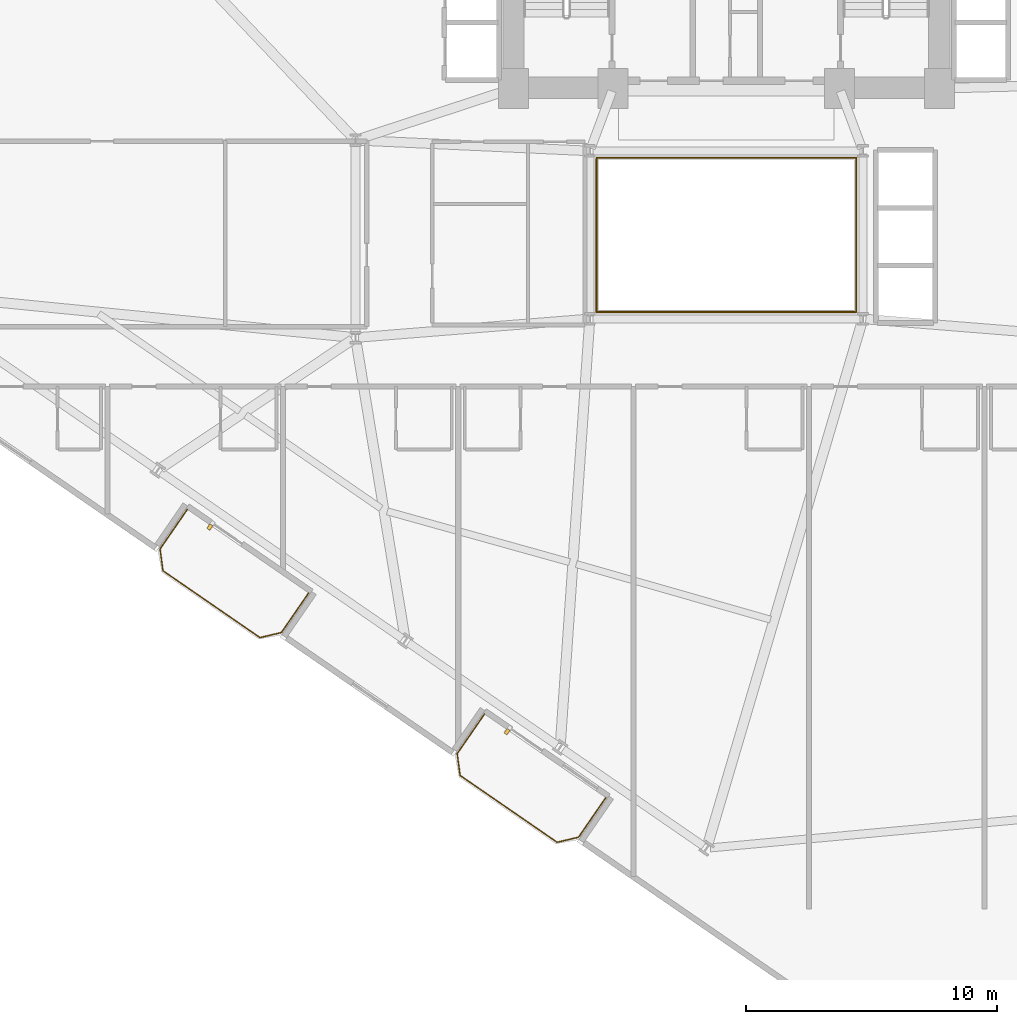
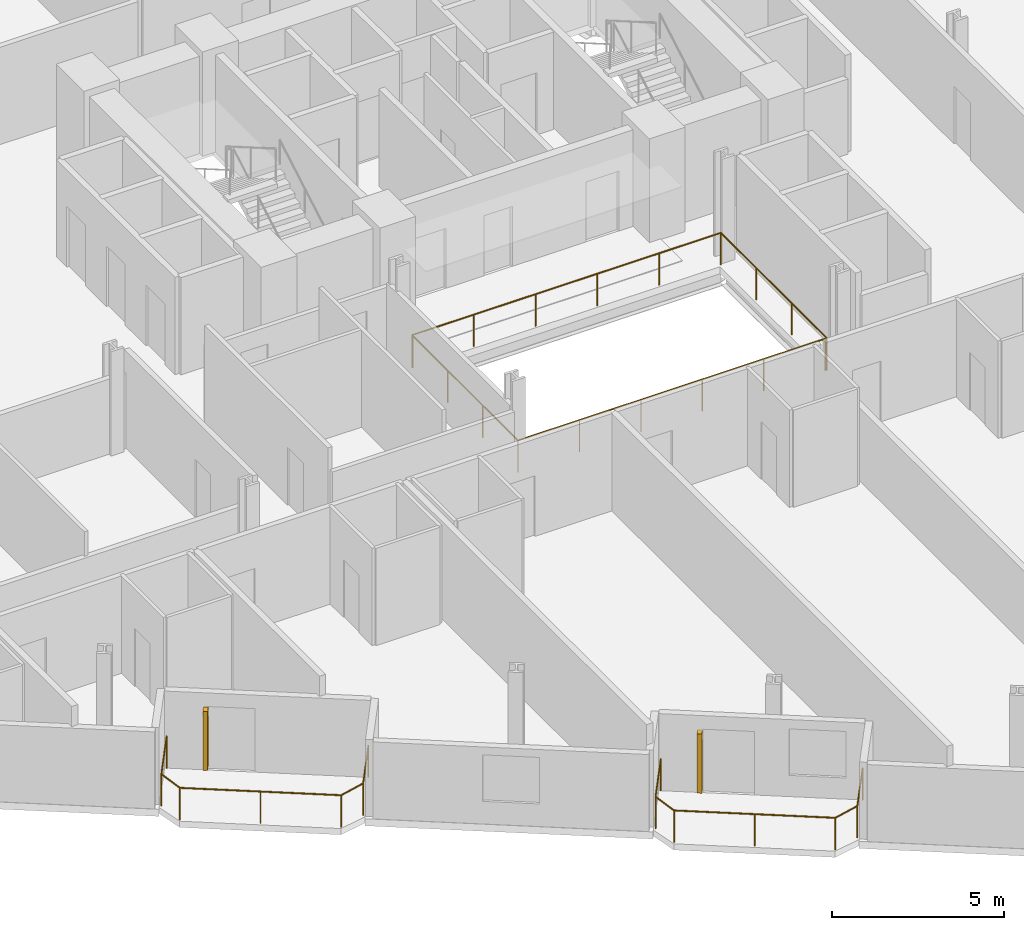
# One storey, part 23 of 25: 4 railings, 2 shading devices.
"""IFC4 building model written with IfcOpenShell, lengths in metres."""

from ifc_helpers import new_model, si_unit, direction, frame, origin, origin_2d, place, context, subcontext, project, spatial, rectangle, circle, extrude, source, transform, mapped, material, type_object, element, save


model = new_model("IFC4")

# Units and contexts
model_context = context("Model", 3, precision=1e-05, world=origin(), true_north=direction((0.0, 1.0)))
body_context = subcontext(model_context, "Body", "Model", "MODEL_VIEW")
ifc_project = project(units=[si_unit("LENGTHUNIT", "METRE"), si_unit("AREAUNIT", "SQUARE_METRE"), si_unit("VOLUMEUNIT", "CUBIC_METRE"), si_unit("PLANEANGLEUNIT", "RADIAN"), si_unit("MASSUNIT", "GRAM", prefix="KILO")], contexts=[model_context])

# Site, building, storey
site_placement = place(None, origin())
site = spatial("IfcSite", under=ifc_project, at=site_placement, CompositionType="ELEMENT")
building_placement = place(site_placement, origin())
building = spatial("IfcBuilding", under=site, at=building_placement, Name="Varnelok Gate Tower", CompositionType="ELEMENT")
storey_placement = place(building_placement, frame((0.0, 0.0, 56.60009765625)))
storey = spatial("IfcBuildingStorey", under=building, at=storey_placement, Name="L13", CompositionType="ELEMENT", Elevation=56.60009765625)

# Railings
ifc_material_1 = material(Name="Tempered Laminated Balustrade Glass", Category="glass")
railing_type_1 = type_object("IfcRailingType", Name="RL-ATR-GUARD1150", PredefinedType="GUARDRAIL", material=ifc_material_1)
railing_1_placement = place(storey_placement, frame((34.02001953125, 25.929931640625, 0.0)))
element("IfcRailing", 1, at=railing_1_placement, inside=storey, type_object=railing_type_1, Name="L13 Internal Atrium South-West Guardrail", PredefinedType="GUARDRAIL", context=body_context, shape_type="SweptSolid", body=[
    extrude(circle(Radius=0.02392578125, at=origin_2d()), frame((0.0, 0.0, 1.1259765625), z_axis=(0.0, -1.0, 0.0), x_axis=(1.0, 0.0, 0.0)), (0.0, 0.0, 1.0), 6.10986328125),
    extrude(circle(Radius=0.02392578125, at=origin_2d()), frame((0.0, -6.10986328125, 1.1259765625), z_axis=(1.0, 0.0, 0.0), x_axis=(0.0, 1.0, 0.0)), (0.0, 0.0, 1.0), 10.31005859375),
    extrude(circle(Radius=0.02099609375, at=origin_2d()), origin(), (0.0, 0.0, 1.0), 1.101806640625),
    extrude(circle(Radius=0.02099609375, at=origin_2d()), frame((0.0, -2.03662109375, 0.0)), (0.0, 0.0, 1.0), 1.101806640625),
    extrude(circle(Radius=0.02099609375, at=origin_2d()), frame((0.0, -4.0732421875, 0.0)), (0.0, 0.0, 1.0), 1.101806640625),
    extrude(circle(Radius=0.02099609375, at=origin_2d()), frame((0.0, -6.10986328125, 0.0)), (0.0, 0.0, 1.0), 1.101806640625),
    extrude(circle(Radius=0.02099609375, at=origin_2d()), frame((2.06201171875, -6.10986328125, 0.0)), (0.0, 0.0, 1.0), 1.101806640625),
    extrude(circle(Radius=0.02099609375, at=origin_2d()), frame((4.1240234375, -6.10986328125, 0.0)), (0.0, 0.0, 1.0), 1.101806640625),
    extrude(circle(Radius=0.02099609375, at=origin_2d()), frame((6.18603515625, -6.10986328125, 0.0)), (0.0, 0.0, 1.0), 1.101806640625),
    extrude(circle(Radius=0.02099609375, at=origin_2d()), frame((8.248046875, -6.10986328125, 0.0)), (0.0, 0.0, 1.0), 1.101806640625),
    extrude(circle(Radius=0.02099609375, at=origin_2d()), frame((10.31005859375, -6.10986328125, 0.0)), (0.0, 0.0, 1.0), 1.101806640625),
])
railing_2_placement = place(storey_placement, frame((44.3798828125, 19.820068359375, 0.0)))
element("IfcRailing", 2, at=railing_2_placement, inside=storey, type_object=railing_type_1, Name="L13 Internal Atrium North-East Guardrail", PredefinedType="GUARDRAIL", context=body_context, shape_type="SweptSolid", body=[
    extrude(circle(Radius=0.02392578125, at=origin_2d()), frame((0.0, 0.0, 1.1259765625), z_axis=(0.0, 1.0, 0.0), x_axis=(-1.0, 0.0, 0.0)), (0.0, 0.0, 1.0), 6.159912109375),
    extrude(circle(Radius=0.02392578125, at=origin_2d()), frame((0.0, 6.159912109375, 1.1259765625), z_axis=(-1.0, 0.0, 0.0), x_axis=(0.0, -1.0, 0.0)), (0.0, 0.0, 1.0), 10.35986328125),
    extrude(circle(Radius=0.02099609375, at=origin_2d()), origin(), (0.0, 0.0, 1.0), 1.101806640625),
    extrude(circle(Radius=0.02099609375, at=origin_2d()), frame((0.0, 2.05322265625, 0.0)), (0.0, 0.0, 1.0), 1.101806640625),
    extrude(circle(Radius=0.02099609375, at=origin_2d()), frame((0.0, 4.106689453125, 0.0)), (0.0, 0.0, 1.0), 1.101806640625),
    extrude(circle(Radius=0.02099609375, at=origin_2d()), frame((0.0, 6.159912109375, 0.0)), (0.0, 0.0, 1.0), 1.101806640625),
    extrude(circle(Radius=0.02099609375, at=origin_2d()), frame((-2.072021484375, 6.159912109375, 0.0)), (0.0, 0.0, 1.0), 1.101806640625),
    extrude(circle(Radius=0.02099609375, at=origin_2d()), frame((-4.14404296875, 6.159912109375, 0.0)), (0.0, 0.0, 1.0), 1.101806640625),
    extrude(circle(Radius=0.02099609375, at=origin_2d()), frame((-6.2158203125, 6.159912109375, 0.0)), (0.0, 0.0, 1.0), 1.101806640625),
    extrude(circle(Radius=0.02099609375, at=origin_2d()), frame((-8.287841796875, 6.159912109375, 0.0)), (0.0, 0.0, 1.0), 1.101806640625),
    extrude(circle(Radius=0.02099609375, at=origin_2d()), frame((-10.35986328125, 6.159912109375, 0.0)), (0.0, 0.0, 1.0), 1.101806640625),
])
ifc_material_2 = material(Name="Low-E Laminated Double Glazing IGU", Category="glass")
railing_type_2 = type_object("IfcRailingType", Name="RL-BALC-1150", PredefinedType="BALUSTRADE", material=ifc_material_2)
railing_3_placement = place(storey_placement, frame((17.688720703125, 11.9462890625, 0.0)))
element("IfcRailing", 3, at=railing_3_placement, inside=storey, type_object=railing_type_2, Name="L13 South Terrace Balustrade 1", PredefinedType="BALUSTRADE", context=body_context, shape_type="SweptSolid", body=[
    extrude(circle(Radius=0.02392578125, at=origin_2d()), frame((0.0, 0.0, 1.1259765625), z_axis=(-0.567224752248, -0.823563039747, 0.0), x_axis=(0.823563039747, -0.567224752248, 0.0)), (0.0, 0.0, 1.0), 1.920166015625),
    extrude(circle(Radius=0.02392578125, at=origin_2d()), frame((-1.089111328125, -1.581298828125, 1.1259765625), z_axis=(0.133511834152, -0.991047218926, 0.0), x_axis=(0.991047218926, 0.133511834152, 0.0)), (0.0, 0.0, 1.0), 0.877685546875),
    extrude(circle(Radius=0.02392578125, at=origin_2d()), frame((-0.971923828125, -2.451171875, 1.1259765625), z_axis=(0.823523239622, -0.567282534371, 0.0), x_axis=(0.567282534371, 0.823523239622, 0.0)), (0.0, 0.0, 1.0), 4.699951171875),
    extrude(circle(Radius=0.02392578125, at=origin_2d()), frame((2.898681640625, -5.117431640625, 1.1259765625), z_axis=(0.973573806257, 0.228372598553, 0.0), x_axis=(-0.228372598553, 0.973573806257, 0.0)), (0.0, 0.0, 1.0), 0.877685546875),
    extrude(circle(Radius=0.02392578125, at=origin_2d()), frame((3.753173828125, -4.9169921875, 1.1259765625), z_axis=(0.567224752248, 0.823563039747, 0.0), x_axis=(-0.823563039747, 0.567224752248, 0.0)), (0.0, 0.0, 1.0), 1.920166015625),
    extrude(circle(Radius=0.02099609375, at=origin_2d()), origin(), (0.0, 0.0, 1.0), 1.101806640625),
    extrude(circle(Radius=0.02099609375, at=origin_2d()), frame((-1.089111328125, -1.581298828125, 0.0)), (0.0, 0.0, 1.0), 1.101806640625),
    extrude(circle(Radius=0.02099609375, at=origin_2d()), frame((-0.971923828125, -2.451171875, 0.0)), (0.0, 0.0, 1.0), 1.101806640625),
    extrude(circle(Radius=0.02099609375, at=origin_2d()), frame((0.96337890625, -3.7841796875, 0.0)), (0.0, 0.0, 1.0), 1.101806640625),
    extrude(circle(Radius=0.02099609375, at=origin_2d()), frame((2.898681640625, -5.117431640625, 0.0)), (0.0, 0.0, 1.0), 1.101806640625),
    extrude(circle(Radius=0.02099609375, at=origin_2d()), frame((3.753173828125, -4.9169921875, 0.0)), (0.0, 0.0, 1.0), 1.101806640625),
    extrude(circle(Radius=0.02099609375, at=origin_2d()), frame((4.84228515625, -3.335693359375, 0.0)), (0.0, 0.0, 1.0), 1.101806640625),
])
railing_4_placement = place(storey_placement, frame((29.547607421875, 3.777587890625, 0.0)))
element("IfcRailing", 4, at=railing_4_placement, inside=storey, type_object=railing_type_2, Name="L13 South Terrace Balustrade 2", PredefinedType="BALUSTRADE", context=body_context, shape_type="SweptSolid", body=[
    extrude(circle(Radius=0.02392578125, at=origin_2d()), frame((0.0, 0.0, 1.1259765625), z_axis=(-0.567224752248, -0.823563039747, 0.0), x_axis=(0.823563039747, -0.567224752248, 0.0)), (0.0, 0.0, 1.0), 1.920166015625),
    extrude(circle(Radius=0.02392578125, at=origin_2d()), frame((-1.089111328125, -1.581298828125, 1.1259765625), z_axis=(0.133511834152, -0.991047218926, 0.0), x_axis=(0.991047218926, 0.133511834152, 0.0)), (0.0, 0.0, 1.0), 0.877685546875),
    extrude(circle(Radius=0.02392578125, at=origin_2d()), frame((-0.971923828125, -2.451171875, 1.1259765625), z_axis=(0.823523239622, -0.567282534371, 0.0), x_axis=(0.567282534371, 0.823523239622, 0.0)), (0.0, 0.0, 1.0), 4.699951171875),
    extrude(circle(Radius=0.02392578125, at=origin_2d()), frame((2.898681640625, -5.117431640625, 1.1259765625), z_axis=(0.973511928193, 0.228636229993, 0.0), x_axis=(-0.228636229993, 0.973511928193, 0.0)), (0.0, 0.0, 1.0), 0.877685546875),
    extrude(circle(Radius=0.02392578125, at=origin_2d()), frame((3.753173828125, -4.916748046875, 1.1259765625), z_axis=(0.567284155424, 0.82352212296, 0.0), x_axis=(-0.82352212296, 0.567284155424, 0.0)), (0.0, 0.0, 1.0), 1.919921875),
    extrude(circle(Radius=0.02099609375, at=origin_2d()), origin(), (0.0, 0.0, 1.0), 1.101806640625),
    extrude(circle(Radius=0.02099609375, at=origin_2d()), frame((-1.089111328125, -1.581298828125, 0.0)), (0.0, 0.0, 1.0), 1.101806640625),
    extrude(circle(Radius=0.02099609375, at=origin_2d()), frame((-0.971923828125, -2.451171875, 0.0)), (0.0, 0.0, 1.0), 1.101806640625),
    extrude(circle(Radius=0.02099609375, at=origin_2d()), frame((0.96337890625, -3.7841796875, 0.0)), (0.0, 0.0, 1.0), 1.101806640625),
    extrude(circle(Radius=0.02099609375, at=origin_2d()), frame((2.898681640625, -5.117431640625, 0.0)), (0.0, 0.0, 1.0), 1.101806640625),
    extrude(circle(Radius=0.02099609375, at=origin_2d()), frame((3.753173828125, -4.916748046875, 0.0)), (0.0, 0.0, 1.0), 1.101806640625),
    extrude(circle(Radius=0.02099609375, at=origin_2d()), frame((4.84228515625, -3.335693359375, 0.0)), (0.0, 0.0, 1.0), 1.101806640625),
])

# Shading devices
ifc_material_3 = material(Name="Glazed Architectural Terracotta Ceramic", Category="masonry")
shading_device_type = type_object("IfcShadingDeviceType", Name="SHD-TERRA-FIN", PredefinedType="USERDEFINED", material=ifc_material_3)
shared_shape = source(origin(), body_context, "Body", "SweptSolid", [
    extrude(rectangle(XDim=0.139892578125, YDim=0.219970703125, at=origin_2d()), origin(), (0.0, 0.0, 1.0), 2.10009765625),
])
for number, where, z_axis, x_axis, name in (
    (5, (18.587890625, 11.24169921875, 0.099853515625), (0.0, 0.0, 1.0), (0.823532597628, -0.567268949127, 0.0), "L13 Terracotta Ceramic Baguette Sunscreen 1.1"),
    (6, (30.44677734375, 3.072998046875, 0.099853515625), (0.0, 0.0, 1.0), (0.823532597628, -0.567268949127, 0.0), "L13 Terracotta Ceramic Baguette Sunscreen 2.1"),
):
    element("IfcShadingDevice", number, at=place(storey_placement, frame(where, z_axis=z_axis, x_axis=x_axis)), inside=storey, type_object=shading_device_type, Name=name, ObjectType="BAGUETTE", PredefinedType="USERDEFINED", context=body_context, shape_type="MappedRepresentation", body=[
        mapped(shared_shape, transform((0.0, 0.0, 0.0), scale=1.0)),
    ])

save(model, "model.ifc")
